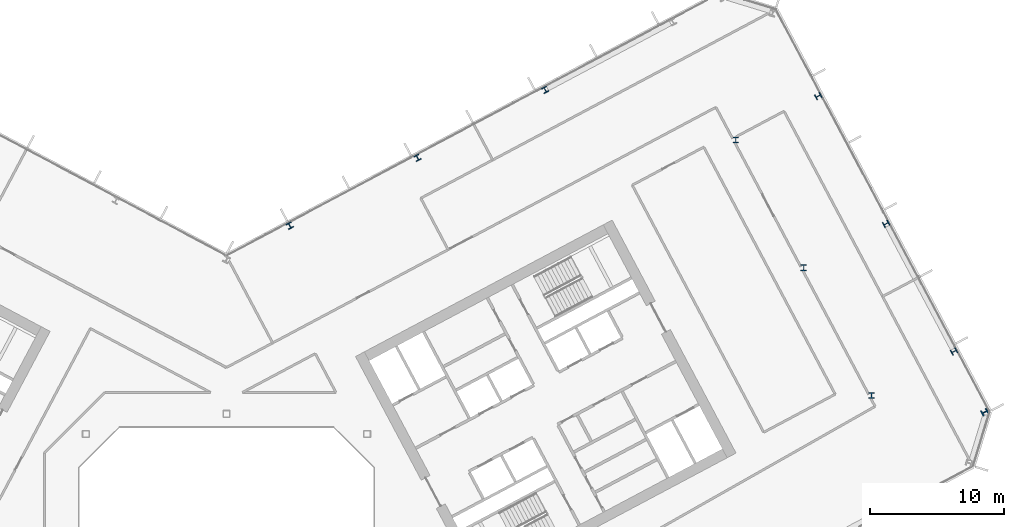
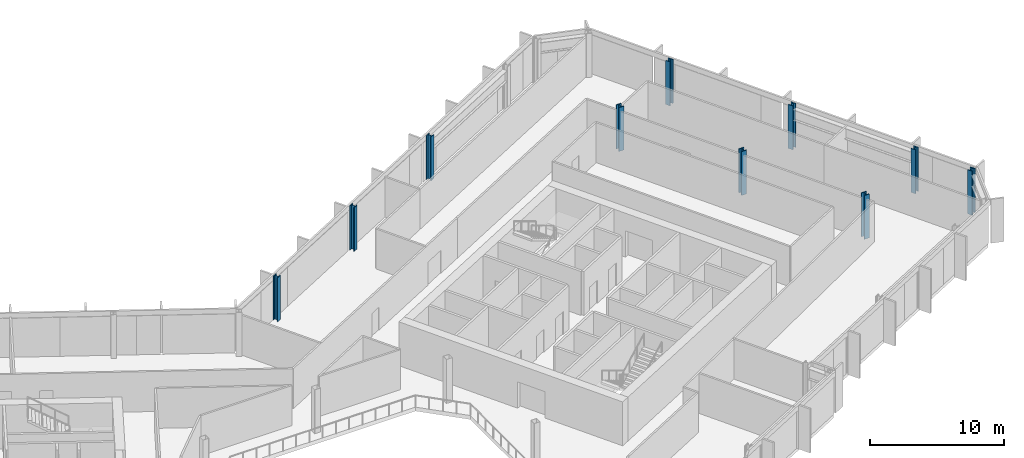
# One storey, part 7 of 28: 10 columns.
"""IFC4 building model written with IfcOpenShell, lengths in metres."""

from ifc_helpers import new_model, si_unit, direction, frame, origin, origin_2d, place, context, subcontext, project, spatial, i_section, extrude, material, material_profile, profile_set, type_object, element, save


model = new_model("IFC4")

# Units and contexts
model_context = context("Model", 3, precision=1e-05, world=origin(), true_north=direction((0.0, 1.0)))
body_context = subcontext(model_context, "Body", "Model", "MODEL_VIEW")
ifc_project = project(units=[si_unit("LENGTHUNIT", "METRE"), si_unit("AREAUNIT", "SQUARE_METRE"), si_unit("VOLUMEUNIT", "CUBIC_METRE"), si_unit("PLANEANGLEUNIT", "RADIAN"), si_unit("MASSUNIT", "GRAM", prefix="KILO")], contexts=[model_context])

# Site, building, storey
site_placement = place(None, origin())
site = spatial("IfcSite", under=ifc_project, at=site_placement, CompositionType="ELEMENT")
building_placement = place(site_placement, origin())
building = spatial("IfcBuilding", under=site, at=building_placement, Name="Cormorant Relay Tower", CompositionType="ELEMENT")
storey_placement = place(building_placement, frame((0.0, 0.0, 146.199951171875)))
storey = spatial("IfcBuildingStorey", under=building, at=storey_placement, Name="L30", CompositionType="ELEMENT", Elevation=146.199951171875)

# Columns
ifc_material_1 = material(Name="Steel ASTM A992 (Fy 345 MPa)", Category="steel")
ifc_material_profile_1 = material_profile(ifc_material_1, i_section(OverallWidth=0.41162109375, OverallDepth=0.434326171875, WebThickness=0.035888671875, FlangeThickness=0.057373046875, FilletRadius=0.01513671875, at=origin_2d()), Name="W360x463")
ifc_profile_set_1 = profile_set([ifc_material_profile_1], Name="Steel ASTM A992 (Fy 345 MPa)")
column_type_1 = type_object("IfcColumnType", Name="Column W360x463", PredefinedType="COLUMN", material=ifc_profile_set_1)
for number, where, z_axis, x_axis, name in (
    (1, (54.321044921875, 16.65087890625, 0.0), (0.0, 0.0, 1.0), (-0.469471562786, 0.882947592859, 0.0), "Column L30-029"),
    (2, (4.72509765625, 26.047119140625, 0.0), (0.0, 0.0, 1.0), (-0.882947592859, -0.469471562786, 0.0), "Column L30-034"),
    (3, (49.2509765625, 26.18701171875, 0.0), (0.0, 0.0, 1.0), (-0.469471562786, 0.882947592859, 0.0), "Column L30-035"),
    (4, (14.260986328125, 31.116943359375, 0.0), (0.0, 0.0, 1.0), (-0.882947592859, -0.469471562786, 0.0), "Column L30-038"),
    (5, (44.180908203125, 35.722900390625, 0.0), (0.0, 0.0, 1.0), (-0.469471562786, 0.882947592859, 0.0), "Column L30-042"),
    (6, (23.7958984375, 36.18798828125, 0.0), (0.0, 0.0, 1.0), (-0.882947592859, -0.469471562786, 0.0), "Column L30-043"),
):
    element("IfcColumn", number, at=place(storey_placement, frame(where, z_axis=z_axis, x_axis=x_axis)), inside=storey, type_object=column_type_1, Name=name, PredefinedType="COLUMN", context=body_context, shape_type="SweptSolid", body=[
        extrude(i_section(OverallWidth=0.41162109375, OverallDepth=0.434326171875, WebThickness=0.035888671875, FlangeThickness=0.057373046875, FilletRadius=0.01513671875, at=origin_2d()), origin(), (0.0, 0.0, 1.0), 4.0),
    ])
ifc_material_2 = material(Name="Steel ASTM A992 (Fy 345 MPa)", Category="steel")
ifc_material_profile_2 = material_profile(ifc_material_2, i_section(OverallWidth=0.42431640625, OverallDepth=0.47509765625, WebThickness=0.0478515625, FlangeThickness=0.0771484375, FilletRadius=0.014892578125, at=origin_2d()), Name="W360x634")
ifc_profile_set_2 = profile_set([ifc_material_profile_2], Name="Steel ASTM A992 (Fy 345 MPa)")
column_type_2 = type_object("IfcColumnType", Name="Column W360x634", PredefinedType="COLUMN", material=ifc_profile_set_2)
for number, where, z_axis, x_axis, name in (
    (7, (56.60791015625, 12.1298828125, 0.0), (0.0, 0.0, 1.0), (-0.469471562786, 0.882947592859, 0.0), "Column L30-026"),
    (8, (48.157958984375, 13.3740234375, 0.0), (0.0, 0.0, 1.0), (1.0, 0.0, 0.0), "Column L30-027"),
    (9, (43.087890625, 22.909912109375, 0.0), (0.0, 0.0, 1.0), (1.0, 0.0, 0.0), "Column L30-031"),
    (10, (38.01806640625, 32.446044921875, 0.0), (0.0, 0.0, 1.0), (1.0, 0.0, 0.0), "Column L30-039"),
):
    element("IfcColumn", number, at=place(storey_placement, frame(where, z_axis=z_axis, x_axis=x_axis)), inside=storey, type_object=column_type_2, Name=name, PredefinedType="COLUMN", context=body_context, shape_type="SweptSolid", body=[
        extrude(i_section(OverallWidth=0.42431640625, OverallDepth=0.47509765625, WebThickness=0.0478515625, FlangeThickness=0.0771484375, FilletRadius=0.014892578125, at=origin_2d()), origin(), (0.0, 0.0, 1.0), 4.0),
    ])

save(model, "model.ifc")
